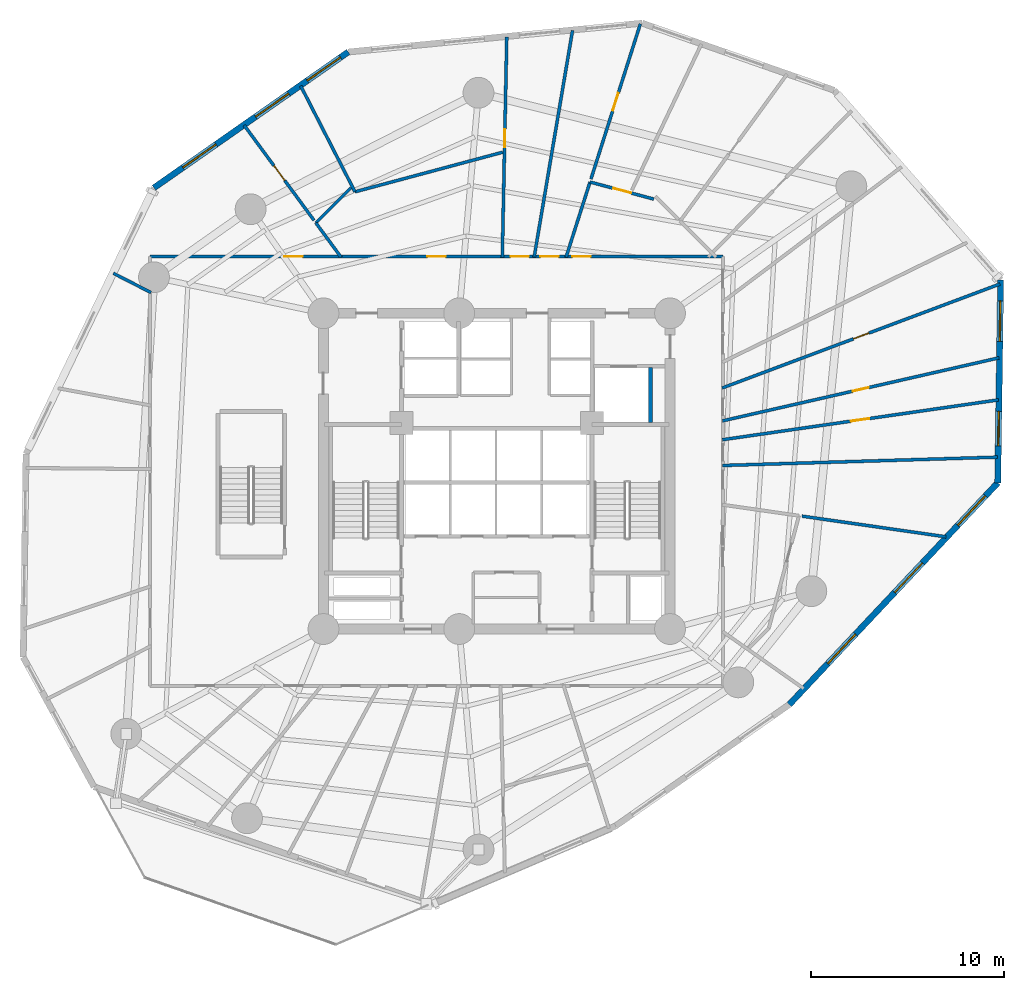
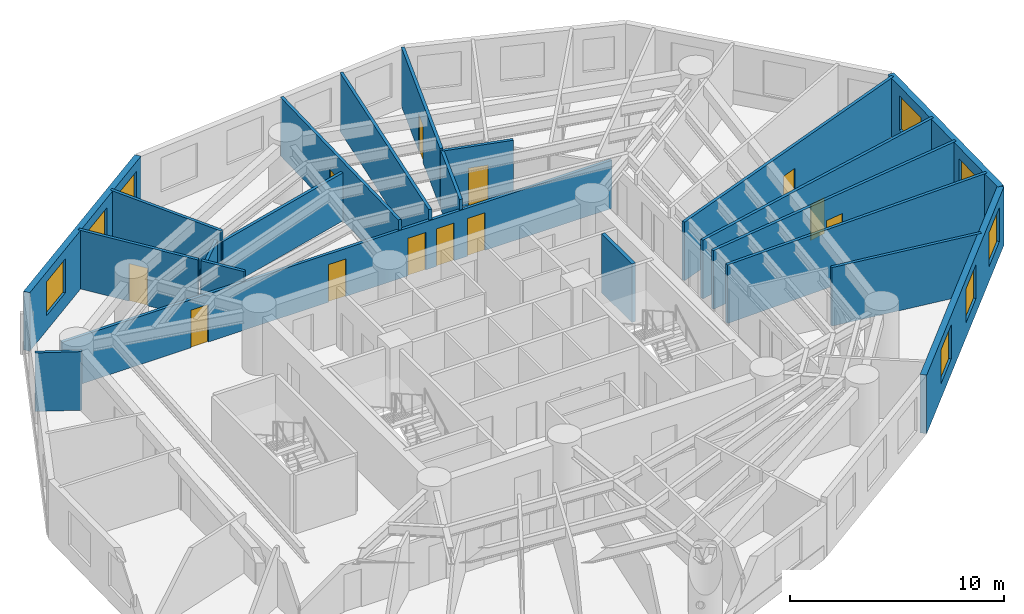
# One storey, part 6 of 11: 21 walls, 12 doors, 8 windows, 20 openings.
"""IFC4 building model written with IfcOpenShell, lengths in metres."""

from ifc_helpers import new_model, si_unit, direction, frame, frame_2d, origin, origin_with_axes, place, context, subcontext, project, spatial, rectangle, extrude, source, transform, mapped, material, layer, layer_set, type_object, element, fill, save


model = new_model("IFC4")

# Units and contexts
model_context = context("Model", 3, precision=1e-05, world=origin(), true_north=direction((0.0, 1.0)))
body_context = subcontext(model_context, "Body", "Model", "MODEL_VIEW")
ifc_project = project(units=[si_unit("LENGTHUNIT", "METRE"), si_unit("AREAUNIT", "SQUARE_METRE"), si_unit("VOLUMEUNIT", "CUBIC_METRE"), si_unit("PLANEANGLEUNIT", "RADIAN"), si_unit("MASSUNIT", "GRAM", prefix="KILO")], contexts=[model_context])

# Site, building, storey
site_placement = place(None, origin())
site = spatial("IfcSite", under=ifc_project, at=site_placement, CompositionType="ELEMENT")
building_placement = place(site_placement, origin())
building = spatial("IfcBuilding", under=site, at=building_placement, Name="Karkom Vertical University and Central Library", CompositionType="ELEMENT")
storey_placement = place(building_placement, frame((0.0, 0.0, 44.5)))
storey = spatial("IfcBuildingStorey", under=building, at=storey_placement, Name="L11", CompositionType="ELEMENT", Elevation=44.5)

# Wall, openings, windows
ifc_material_1 = material(Name="Brick-faced precast concrete C45/55", Category="masonry")
ifc_layer_1 = layer(ifc_material_1, 0.320068359375)
ifc_layer_set_1 = layer_set([ifc_layer_1], Name="Brick-faced precast concrete C45/55")
wall_type_1 = type_object("IfcWallType", Name="ENV-WL-BRK-320", PredefinedType="SOLIDWALL", material=ifc_layer_set_1)
wall_1_placement = place(storey_placement, frame((43.68994140625, 14.37158203125, 0.0), z_axis=(0.0, 0.0, 1.0), x_axis=(0.684991460833, 0.728551095384, 0.0)))
wall_1 = element("IfcWall", 1, at=wall_1_placement, inside=storey, type_object=wall_type_1, Name="Level 11 Brick-Faced Precast Facade Wall 07", PredefinedType="SOLIDWALL", context=body_context, shape_type="SweptSolid", body=[
    extrude(rectangle(XDim=15.816650390625, YDim=0.320068359375, at=frame_2d((7.908203125, 0.0))), origin(), (0.0, 0.0, 1.0), 3.35009765625),
])
opening_1_placement = place(wall_1_placement, frame((2.927978515625, 0.0, 0.85009765625)))
opening_1 = element("IfcOpeningElement", 2, at=opening_1_placement, cuts=wall_1, Name="Opening WN-03", PredefinedType="OPENING", context=body_context, shape_type="SweptSolid", body=[
    extrude(rectangle(XDim=2.10009765625, YDim=1.949951171875, at=frame_2d((1.050048828125, 0.97509765625))), frame((0.0, 0.169921875, 0.0), z_axis=(0.0, -1.0, 0.0), x_axis=(1.0, 0.0, 0.0)), (0.0, 0.0, 1.0), 0.340087890625),
])
opening_2_placement = place(wall_1_placement, frame((8.004150390625, 0.0, 0.85009765625)))
opening_2 = element("IfcOpeningElement", 3, at=opening_2_placement, cuts=wall_1, Name="Opening WN-03", PredefinedType="OPENING", context=body_context, shape_type="SweptSolid", body=[
    extrude(rectangle(XDim=2.10009765625, YDim=1.949951171875, at=frame_2d((1.050048828125, 0.97509765625))), frame((0.0, 0.169921875, 0.0), z_axis=(0.0, -1.0, 0.0), x_axis=(1.0, 0.0, 0.0)), (0.0, 0.0, 1.0), 0.340087890625),
])
opening_3_placement = place(wall_1_placement, frame((12.784423828125, 0.0, 0.85009765625)))
opening_3 = element("IfcOpeningElement", 4, at=opening_3_placement, cuts=wall_1, Name="Opening WN-03", PredefinedType="OPENING", context=body_context, shape_type="SweptSolid", body=[
    extrude(rectangle(XDim=2.10009765625, YDim=1.949951171875, at=frame_2d((1.050048828125, 0.97509765625))), frame((0.0, 0.169921875, 0.0), z_axis=(0.0, -1.0, 0.0), x_axis=(1.0, 0.0, 0.0)), (0.0, 0.0, 1.0), 0.340087890625),
])
ifc_material_2 = material(Name="Aluminium thermal-break frame with solar-control IGU", Category="aluminium")
window_type_1 = type_object("IfcWindowType", Name="ENV-WIN-WN-03", PartitioningType="SINGLE_PANEL", PredefinedType="WINDOW", material=ifc_material_2)
shared_shape_1 = source(origin_with_axes(), body_context, "Body", "SweptSolid", [
    extrude(rectangle(XDim=2.10009765625, YDim=1.949951171875, at=frame_2d((1.050048828125, 0.97509765625))), frame((0.0, 0.030029296875, 0.0), z_axis=(0.0, -1.0, 0.0), x_axis=(1.0, 0.0, 0.0)), (0.0, 0.0, 1.0), 0.06005859375),
])
window_1_placement = place(opening_1_placement, origin())
window_1 = element("IfcWindow", 5, at=window_1_placement, inside=storey, type_object=window_type_1, Name="Level 11 Punched Window 7.1", OverallHeight=1.949951171875, OverallWidth=2.10009765625, PartitioningType="SINGLE_PANEL", PredefinedType="WINDOW", context=body_context, shape_type="MappedRepresentation", body=[
    mapped(shared_shape_1, transform((0.0, 0.0, 0.0), scale=1.0)),
])
fill(opening_1, window_1)
window_2_placement = place(opening_2_placement, origin())
window_2 = element("IfcWindow", 6, at=window_2_placement, inside=storey, type_object=window_type_1, Name="Level 11 Punched Window 7.2", OverallHeight=1.949951171875, OverallWidth=2.10009765625, PartitioningType="SINGLE_PANEL", PredefinedType="WINDOW", context=body_context, shape_type="MappedRepresentation", body=[
    mapped(shared_shape_1, transform((0.0, 0.0, 0.0), scale=1.0)),
])
fill(opening_2, window_2)
window_3_placement = place(opening_3_placement, origin())
window_3 = element("IfcWindow", 7, at=window_3_placement, inside=storey, type_object=window_type_1, Name="Level 11 Punched Window 7.3", OverallHeight=1.949951171875, OverallWidth=2.10009765625, PartitioningType="SINGLE_PANEL", PredefinedType="WINDOW", context=body_context, shape_type="MappedRepresentation", body=[
    mapped(shared_shape_1, transform((0.0, 0.0, 0.0), scale=1.0)),
])
fill(opening_3, window_3)

wall_2_placement = place(storey_placement, frame((54.524169921875, 25.894775390625, 0.0), z_axis=(0.0, 0.0, 1.0), x_axis=(0.014133027678, 0.999900123777, 0.0)))
wall_2 = element("IfcWall", 8, at=wall_2_placement, inside=storey, type_object=wall_type_1, Name="Level 11 Brick-Faced Precast Facade Wall 08", PredefinedType="SOLIDWALL", context=body_context, shape_type="SweptSolid", body=[
    extrude(rectangle(XDim=10.537353515625, YDim=0.320068359375, at=frame_2d((5.2685546875, 0.0))), origin(), (0.0, 0.0, 1.0), 3.35009765625),
])
opening_4_placement = place(wall_2_placement, frame((1.916748046875, 0.0, 0.85009765625)))
opening_4 = element("IfcOpeningElement", 9, at=opening_4_placement, cuts=wall_2, Name="Opening WN-04", PredefinedType="OPENING", context=body_context, shape_type="SweptSolid", body=[
    extrude(rectangle(XDim=1.800048828125, YDim=1.85009765625, at=frame_2d((0.89990234375, 0.925048828125))), frame((0.0, 0.169921875, 0.0), z_axis=(0.0, -1.0, 0.0), x_axis=(1.0, 0.0, 0.0)), (0.0, 0.0, 1.0), 0.340087890625),
])
opening_5_placement = place(wall_2_placement, frame((7.3505859375, 0.0, 0.85009765625)))
opening_5 = element("IfcOpeningElement", 10, at=opening_5_placement, cuts=wall_2, Name="Opening WN-03", PredefinedType="OPENING", context=body_context, shape_type="SweptSolid", body=[
    extrude(rectangle(XDim=2.10009765625, YDim=1.949951171875, at=frame_2d((1.050048828125, 0.97509765625))), frame((0.0, 0.169921875, 0.0), z_axis=(0.0, -1.0, 0.0), x_axis=(1.0, 0.0, 0.0)), (0.0, 0.0, 1.0), 0.340087890625),
])
window_4_placement = place(opening_5_placement, origin())
window_4 = element("IfcWindow", 11, at=window_4_placement, inside=storey, type_object=window_type_1, Name="Level 11 Punched Window 8.2", OverallHeight=1.949951171875, OverallWidth=2.10009765625, PartitioningType="SINGLE_PANEL", PredefinedType="WINDOW", context=body_context, shape_type="MappedRepresentation", body=[
    mapped(shared_shape_1, transform((0.0, 0.0, 0.0), scale=1.0)),
])
fill(opening_5, window_4)
window_type_2 = type_object("IfcWindowType", Name="ENV-WIN-WN-04", PartitioningType="SINGLE_PANEL", PredefinedType="WINDOW", material=ifc_material_2)
shared_shape_2 = source(origin_with_axes(), body_context, "Body", "SweptSolid", [
    extrude(rectangle(XDim=1.800048828125, YDim=1.85009765625, at=frame_2d((0.89990234375, 0.925048828125))), frame((0.0, 0.030029296875, 0.0), z_axis=(0.0, -1.0, 0.0), x_axis=(1.0, 0.0, 0.0)), (0.0, 0.0, 1.0), 0.06005859375),
])
window_5_placement = place(opening_4_placement, origin())
window_5 = element("IfcWindow", 12, at=window_5_placement, inside=storey, type_object=window_type_2, Name="Level 11 Punched Window 8.1", OverallHeight=1.85009765625, OverallWidth=1.800048828125, PartitioningType="SINGLE_PANEL", PredefinedType="WINDOW", context=body_context, shape_type="MappedRepresentation", body=[
    mapped(shared_shape_2, transform((0.0, 0.0, 0.0), scale=1.0)),
])
fill(opening_4, window_5)

wall_3_placement = place(storey_placement, frame((20.789306640625, 48.277587890625, 0.0), z_axis=(0.0, 0.0, 1.0), x_axis=(-0.819542780698, -0.573018001991, 0.0)))
wall_3 = element("IfcWall", 13, at=wall_3_placement, inside=storey, type_object=wall_type_1, Name="Level 11 Brick-Faced Precast Facade Wall 12", PredefinedType="SOLIDWALL", context=body_context, shape_type="SweptSolid", body=[
    extrude(rectangle(XDim=12.318603515625, YDim=0.320068359375, at=frame_2d((6.1591796875, 0.0))), origin(), (0.0, 0.0, 1.0), 3.35009765625),
])
opening_6_placement = place(wall_3_placement, frame((0.5009765625, 0.0, 0.85009765625)))
opening_6 = element("IfcOpeningElement", 14, at=opening_6_placement, cuts=wall_3, Name="Opening WN-03", PredefinedType="OPENING", context=body_context, shape_type="SweptSolid", body=[
    extrude(rectangle(XDim=2.10009765625, YDim=1.949951171875, at=frame_2d((1.050048828125, 0.97509765625))), frame((0.0, 0.169921875, 0.0), z_axis=(0.0, -1.0, 0.0), x_axis=(1.0, 0.0, 0.0)), (0.0, 0.0, 1.0), 0.340087890625),
])
opening_7_placement = place(wall_3_placement, frame((3.7783203125, 0.0, 0.85009765625)))
opening_7 = element("IfcOpeningElement", 15, at=opening_7_placement, cuts=wall_3, Name="Opening WN-03", PredefinedType="OPENING", context=body_context, shape_type="SweptSolid", body=[
    extrude(rectangle(XDim=2.10009765625, YDim=1.949951171875, at=frame_2d((1.050048828125, 0.97509765625))), frame((0.0, 0.169921875, 0.0), z_axis=(0.0, -1.0, 0.0), x_axis=(1.0, 0.0, 0.0)), (0.0, 0.0, 1.0), 0.340087890625),
])
opening_8_placement = place(wall_3_placement, frame((8.38671875, 0.0, 0.85009765625)))
opening_8 = element("IfcOpeningElement", 16, at=opening_8_placement, cuts=wall_3, Name="Opening WN-03", PredefinedType="OPENING", context=body_context, shape_type="SweptSolid", body=[
    extrude(rectangle(XDim=2.10009765625, YDim=1.949951171875, at=frame_2d((1.050048828125, 0.97509765625))), frame((0.0, 0.169921875, 0.0), z_axis=(0.0, -1.0, 0.0), x_axis=(1.0, 0.0, 0.0)), (0.0, 0.0, 1.0), 0.340087890625),
])
window_6_placement = place(opening_6_placement, origin())
window_6 = element("IfcWindow", 17, at=window_6_placement, inside=storey, type_object=window_type_1, Name="Level 11 Punched Window 12.1", OverallHeight=1.949951171875, OverallWidth=2.10009765625, PartitioningType="SINGLE_PANEL", PredefinedType="WINDOW", context=body_context, shape_type="MappedRepresentation", body=[
    mapped(shared_shape_1, transform((0.0, 0.0, 0.0), scale=1.0)),
])
fill(opening_6, window_6)
window_7_placement = place(opening_7_placement, origin())
window_7 = element("IfcWindow", 18, at=window_7_placement, inside=storey, type_object=window_type_1, Name="Level 11 Punched Window 12.2", OverallHeight=1.949951171875, OverallWidth=2.10009765625, PartitioningType="SINGLE_PANEL", PredefinedType="WINDOW", context=body_context, shape_type="MappedRepresentation", body=[
    mapped(shared_shape_1, transform((0.0, 0.0, 0.0), scale=1.0)),
])
fill(opening_7, window_7)
window_8_placement = place(opening_8_placement, origin())
window_8 = element("IfcWindow", 19, at=window_8_placement, inside=storey, type_object=window_type_1, Name="Level 11 Punched Window 12.3", OverallHeight=1.949951171875, OverallWidth=2.10009765625, PartitioningType="SINGLE_PANEL", PredefinedType="WINDOW", context=body_context, shape_type="MappedRepresentation", body=[
    mapped(shared_shape_1, transform((0.0, 0.0, 0.0), scale=1.0)),
])
fill(opening_8, window_8)

# Wall, openings, doors
ifc_material_3 = material(Name="Insulated metal-stud drywall 160mm", Category="gypsum")
ifc_layer_2 = layer(ifc_material_3, 0.159912109375)
ifc_layer_set_2 = layer_set([ifc_layer_2], Name="Insulated metal-stud drywall 160mm")
wall_type_2 = type_object("IfcWallType", Name="INT-WL-COR-160", PredefinedType="PARTITIONING", material=ifc_layer_set_2)
wall_4_placement = place(storey_placement, frame((10.5, 37.64990234375, 0.0), z_axis=(0.0, 0.0, 1.0), x_axis=(1.0, 0.0, 0.0)))
wall_4 = element("IfcWall", 20, at=wall_4_placement, inside=storey, type_object=wall_type_2, Name="Level 11 Interior Partition Wall L11-CORW-CW-003", PredefinedType="PARTITIONING", context=body_context, shape_type="SweptSolid", body=[
    extrude(rectangle(XDim=29.75, YDim=0.159912109375, at=frame_2d((14.875, 0.0))), origin(), (0.0, 0.0, 1.0), 2.75),
])
opening_9_placement = place(wall_4_placement, frame((21.927490234375, 0.0, 0.0)))
opening_9 = element("IfcOpeningElement", 21, at=opening_9_placement, cuts=wall_4, Name="Opening D-RM1", PredefinedType="OPENING", context=body_context, shape_type="SweptSolid", body=[
    extrude(rectangle(XDim=0.949951171875, YDim=2.14990234375, at=frame_2d((0.47509765625, 1.074951171875))), frame((0.0, 0.08984375, 0.0), z_axis=(0.0, -1.0, 0.0), x_axis=(1.0, 0.0, 0.0)), (0.0, 0.0, 1.0), 0.179931640625),
])
opening_10_placement = place(wall_4_placement, frame((20.26220703125, 0.0, 0.0)))
opening_10 = element("IfcOpeningElement", 22, at=opening_10_placement, cuts=wall_4, Name="Opening D-RM1", PredefinedType="OPENING", context=body_context, shape_type="SweptSolid", body=[
    extrude(rectangle(XDim=0.949951171875, YDim=2.14990234375, at=frame_2d((0.47509765625, 1.074951171875))), frame((0.0, 0.08984375, 0.0), z_axis=(0.0, -1.0, 0.0), x_axis=(1.0, 0.0, 0.0)), (0.0, 0.0, 1.0), 0.179931640625),
])
opening_11_placement = place(wall_4_placement, frame((18.722412109375, 0.0, 0.0)))
opening_11 = element("IfcOpeningElement", 23, at=opening_11_placement, cuts=wall_4, Name="Opening D-RM1", PredefinedType="OPENING", context=body_context, shape_type="SweptSolid", body=[
    extrude(rectangle(XDim=0.949951171875, YDim=2.14990234375, at=frame_2d((0.47509765625, 1.074951171875))), frame((0.0, 0.08984375, 0.0), z_axis=(0.0, -1.0, 0.0), x_axis=(1.0, 0.0, 0.0)), (0.0, 0.0, 1.0), 0.179931640625),
])
opening_12_placement = place(wall_4_placement, frame((14.39990234375, 0.0, 0.0)))
opening_12 = element("IfcOpeningElement", 24, at=opening_12_placement, cuts=wall_4, Name="Opening D-RM1", PredefinedType="OPENING", context=body_context, shape_type="SweptSolid", body=[
    extrude(rectangle(XDim=0.949951171875, YDim=2.14990234375, at=frame_2d((0.47509765625, 1.074951171875))), frame((0.0, 0.08984375, 0.0), z_axis=(0.0, -1.0, 0.0), x_axis=(1.0, 0.0, 0.0)), (0.0, 0.0, 1.0), 0.179931640625),
])
opening_13_placement = place(wall_4_placement, frame((6.96240234375, 0.0, 0.0)))
opening_13 = element("IfcOpeningElement", 25, at=opening_13_placement, cuts=wall_4, Name="Opening D-RM1", PredefinedType="OPENING", context=body_context, shape_type="SweptSolid", body=[
    extrude(rectangle(XDim=0.949951171875, YDim=2.14990234375, at=frame_2d((0.47509765625, 1.074951171875))), frame((0.0, 0.08984375, 0.0), z_axis=(0.0, -1.0, 0.0), x_axis=(1.0, 0.0, 0.0)), (0.0, 0.0, 1.0), 0.179931640625),
])
ifc_material_4 = material(Name="Solid-core oak veneer door", Category="wood")
door_type_1 = type_object("IfcDoorType", Name="INT-DR-RM1", OperationType="NOTDEFINED", PredefinedType="DOOR", material=ifc_material_4)
shared_shape_3 = source(origin_with_axes(), body_context, "Body", "SweptSolid", [
    extrude(rectangle(XDim=0.949951171875, YDim=2.14990234375, at=frame_2d((0.47509765625, 1.074951171875))), frame((0.0, 0.02490234375, 0.0), z_axis=(0.0, -1.0, 0.0), x_axis=(1.0, 0.0, 0.0)), (0.0, 0.0, 1.0), 0.050048828125),
])
door_1_placement = place(opening_9_placement, origin())
door_1 = element("IfcDoor", 26, at=door_1_placement, inside=storey, type_object=door_type_1, Name="Level 11 Room Entry Door 220", OperationType="SINGLE_SWING_RIGHT", OverallHeight=2.14990234375, OverallWidth=0.949951171875, PredefinedType="DOOR", context=body_context, shape_type="MappedRepresentation", body=[
    mapped(shared_shape_3, transform((0.0, 0.0, 0.0), scale=1.0)),
])
fill(opening_9, door_1)
door_2_placement = place(opening_10_placement, origin())
door_2 = element("IfcDoor", 27, at=door_2_placement, inside=storey, type_object=door_type_1, Name="Level 11 Room Entry Door 240", OperationType="SINGLE_SWING_LEFT", OverallHeight=2.14990234375, OverallWidth=0.949951171875, PredefinedType="DOOR", context=body_context, shape_type="MappedRepresentation", body=[
    mapped(shared_shape_3, transform((0.0, 0.0, 0.0), scale=1.0)),
])
fill(opening_10, door_2)
door_3_placement = place(opening_11_placement, origin())
door_3 = element("IfcDoor", 28, at=door_3_placement, inside=storey, type_object=door_type_1, Name="Level 11 Room Entry Door 250", OperationType="SINGLE_SWING_RIGHT", OverallHeight=2.14990234375, OverallWidth=0.949951171875, PredefinedType="DOOR", context=body_context, shape_type="MappedRepresentation", body=[
    mapped(shared_shape_3, transform((0.0, 0.0, 0.0), scale=1.0)),
])
fill(opening_11, door_3)
door_4_placement = place(opening_12_placement, origin())
door_4 = element("IfcDoor", 29, at=door_4_placement, inside=storey, type_object=door_type_1, Name="Level 11 Room Entry Door 270", OperationType="SINGLE_SWING_LEFT", OverallHeight=2.14990234375, OverallWidth=0.949951171875, PredefinedType="DOOR", context=body_context, shape_type="MappedRepresentation", body=[
    mapped(shared_shape_3, transform((0.0, 0.0, 0.0), scale=1.0)),
])
fill(opening_12, door_4)
door_5_placement = place(opening_13_placement, origin())
door_5 = element("IfcDoor", 30, at=door_5_placement, inside=storey, type_object=door_type_1, Name="Level 11 Room Entry Door 290", OperationType="SINGLE_SWING_RIGHT", OverallHeight=2.14990234375, OverallWidth=0.949951171875, PredefinedType="DOOR", context=body_context, shape_type="MappedRepresentation", body=[
    mapped(shared_shape_3, transform((0.0, 0.0, 0.0), scale=1.0)),
])
fill(opening_13, door_5)

# Wall, opening, door
wall_5_placement = place(storey_placement, frame((40.2080078125, 30.819580078125, 0.0), z_axis=(0.0, 0.0, 1.0), x_axis=(0.936503538723, 0.350658126897, 0.0)))
wall_5 = element("IfcWall", 31, at=wall_5_placement, inside=storey, type_object=wall_type_2, Name="Level 11 Interior Partition Wall L11-PW-021", PredefinedType="PARTITIONING", context=body_context, shape_type="SweptSolid", body=[
    extrude(rectangle(XDim=15.4111328125, YDim=0.159912109375, at=frame_2d((7.70556640625, 0.0))), origin(), (0.0, 0.0, 1.0), 3.35009765625),
])
opening_14_placement = place(wall_5_placement, frame((7.275634765625, 0.0, 0.0)))
opening_14 = element("IfcOpeningElement", 32, at=opening_14_placement, cuts=wall_5, Name="Opening FD-BTH2", PredefinedType="OPENING", context=body_context, shape_type="SweptSolid", body=[
    extrude(rectangle(XDim=0.860107421875, YDim=2.0400390625, at=frame_2d((0.43017578125, 1.02001953125))), frame((0.0, 0.08984375, 0.0), z_axis=(0.0, -1.0, 0.0), x_axis=(1.0, 0.0, 0.0)), (0.0, 0.0, 1.0), 0.179931640625),
])
ifc_material_5 = material(Name="Fire-rated moisture-resistant oak door", Category="wood")
door_type_2 = type_object("IfcDoorType", Name="INT-DR-FBTH2", OperationType="NOTDEFINED", PredefinedType="DOOR", material=ifc_material_5)
shared_shape_4 = source(origin_with_axes(), body_context, "Body", "SweptSolid", [
    extrude(rectangle(XDim=0.860107421875, YDim=2.0400390625, at=frame_2d((0.43017578125, 1.02001953125))), frame((0.0, 0.02490234375, 0.0), z_axis=(0.0, -1.0, 0.0), x_axis=(1.0, 0.0, 0.0)), (0.0, 0.0, 1.0), 0.050048828125),
])
door_6_placement = place(opening_14_placement, origin())
door_6 = element("IfcDoor", 33, at=door_6_placement, inside=storey, type_object=door_type_2, Name="Level 11 Departmental Reference Reading Library Entry Door", OperationType="SINGLE_SWING_LEFT", OverallHeight=2.0400390625, OverallWidth=0.860107421875, PredefinedType="DOOR", context=body_context, shape_type="MappedRepresentation", body=[
    mapped(shared_shape_4, transform((0.0, 0.0, 0.0), scale=1.0)),
])
fill(opening_14, door_6)

wall_6_placement = place(storey_placement, frame((40.220703125, 29.111083984375, 0.0), z_axis=(0.0, 0.0, 1.0), x_axis=(0.974973940849, 0.22231917296, 0.0)))
wall_6 = element("IfcWall", 34, at=wall_6_placement, inside=storey, type_object=wall_type_2, Name="Level 11 Interior Partition Wall L11-PW-020", PredefinedType="PARTITIONING", context=body_context, shape_type="SweptSolid", body=[
    extrude(rectangle(XDim=14.7373046875, YDim=0.159912109375, at=frame_2d((7.36865234375, 0.0))), origin(), (0.0, 0.0, 1.0), 3.35009765625),
])
opening_15_placement = place(wall_6_placement, frame((6.9384765625, 0.0, 0.0)))
opening_15 = element("IfcOpeningElement", 35, at=opening_15_placement, cuts=wall_6, Name="Opening FD-BTH2", PredefinedType="OPENING", context=body_context, shape_type="SweptSolid", body=[
    extrude(rectangle(XDim=0.860107421875, YDim=2.0400390625, at=frame_2d((0.43017578125, 1.02001953125))), frame((0.0, 0.08984375, 0.0), z_axis=(0.0, -1.0, 0.0), x_axis=(1.0, 0.0, 0.0)), (0.0, 0.0, 1.0), 0.179931640625),
])
door_7_placement = place(opening_15_placement, origin())
door_7 = element("IfcDoor", 36, at=door_7_placement, inside=storey, type_object=door_type_2, Name="Level 11 Faculty Consultation and Research Office Entry Door", OperationType="SINGLE_SWING_RIGHT", OverallHeight=2.0400390625, OverallWidth=0.860107421875, PredefinedType="DOOR", context=body_context, shape_type="MappedRepresentation", body=[
    mapped(shared_shape_4, transform((0.0, 0.0, 0.0), scale=1.0)),
])
fill(opening_15, door_7)

wall_7_placement = place(storey_placement, frame((40.22021484375, 28.1318359375, 0.0), z_axis=(0.0, 0.0, 1.0), x_axis=(0.989731959594, 0.142935818315, 0.0)))
wall_7 = element("IfcWall", 37, at=wall_7_placement, inside=storey, type_object=wall_type_2, Name="Level 11 Interior Partition Wall L11-PW-019", PredefinedType="PARTITIONING", context=body_context, shape_type="SweptSolid", body=[
    extrude(rectangle(XDim=14.487548828125, YDim=0.159912109375, at=frame_2d((7.24365234375, 0.0))), origin(), (0.0, 0.0, 1.0), 3.35009765625),
])
opening_16_placement = place(wall_7_placement, frame((6.751220703125, 0.0, 0.0)))
opening_16 = element("IfcOpeningElement", 38, at=opening_16_placement, cuts=wall_7, Name="Opening D-RM1", PredefinedType="OPENING", context=body_context, shape_type="SweptSolid", body=[
    extrude(rectangle(XDim=0.949951171875, YDim=2.14990234375, at=frame_2d((0.47509765625, 1.074951171875))), frame((0.0, 0.08984375, 0.0), z_axis=(0.0, -1.0, 0.0), x_axis=(1.0, 0.0, 0.0)), (0.0, 0.0, 1.0), 0.179931640625),
])
door_8_placement = place(opening_16_placement, origin())
door_8 = element("IfcDoor", 39, at=door_8_placement, inside=storey, type_object=door_type_1, Name="Level 11 Room Entry Door 150", OperationType="SINGLE_SWING_LEFT", OverallHeight=2.14990234375, OverallWidth=0.949951171875, PredefinedType="DOOR", context=body_context, shape_type="MappedRepresentation", body=[
    mapped(shared_shape_3, transform((0.0, 0.0, 0.0), scale=1.0)),
])
fill(opening_16, door_8)

# Walls
wall_8_placement = place(storey_placement, frame((40.219970703125, 26.794677734375, 0.0), z_axis=(0.0, 0.0, 1.0), x_axis=(0.999542039946, 0.030260706865, 0.0)))
element("IfcWall", 40, at=wall_8_placement, inside=storey, type_object=wall_type_2, Name="Level 11 Interior Partition Wall L11-PW-018", PredefinedType="PARTITIONING", context=body_context, shape_type="SweptSolid", body=[
    extrude(rectangle(XDim=14.304443359375, YDim=0.159912109375, at=frame_2d((7.15234375, 0.0))), origin(), (0.0, 0.0, 1.0), 3.35009765625),
])
wall_9_placement = place(storey_placement, frame((30.443603515625, 37.620361328125, 0.0), z_axis=(0.0, 0.0, 1.0), x_axis=(0.166928333603, 0.985969031684, 0.0)))
element("IfcWall", 41, at=wall_9_placement, inside=storey, type_object=wall_type_2, Name="Level 11 Interior Partition Wall L11-PW-034", PredefinedType="PARTITIONING", context=body_context, shape_type="SweptSolid", body=[
    extrude(rectangle(XDim=11.940185546875, YDim=0.159912109375, at=frame_2d((5.97021484375, 0.0))), origin(), (0.0, 0.0, 1.0), 3.35009765625),
])

# Wall, opening, door
wall_10_placement = place(storey_placement, frame((28.787109375, 37.60498046875, 0.0), z_axis=(0.0, 0.0, 1.0), x_axis=(0.020435212619, 0.99979117924, 0.0)))
wall_10 = element("IfcWall", 42, at=wall_10_placement, inside=storey, type_object=wall_type_2, Name="Level 11 Interior Partition Wall L11-PW-035", PredefinedType="PARTITIONING", context=body_context, shape_type="SweptSolid", body=[
    extrude(rectangle(XDim=11.457275390625, YDim=0.159912109375, at=frame_2d((5.728515625, 0.0))), origin(), (0.0, 0.0, 1.0), 3.35009765625),
])
opening_17_placement = place(wall_10_placement, frame((5.718505859375, 0.0, 0.0)))
opening_17 = element("IfcOpeningElement", 43, at=opening_17_placement, cuts=wall_10, Name="Opening D-RM1", PredefinedType="OPENING", context=body_context, shape_type="SweptSolid", body=[
    extrude(rectangle(XDim=0.949951171875, YDim=2.14990234375, at=frame_2d((0.47509765625, 1.074951171875))), frame((0.0, 0.08984375, 0.0), z_axis=(0.0, -1.0, 0.0), x_axis=(1.0, 0.0, 0.0)), (0.0, 0.0, 1.0), 0.179931640625),
])
door_9_placement = place(opening_17_placement, origin())
door_9 = element("IfcDoor", 44, at=door_9_placement, inside=storey, type_object=door_type_1, Name="Level 11 Room Entry Door 260", OperationType="SINGLE_SWING_LEFT", OverallHeight=2.14990234375, OverallWidth=0.949951171875, PredefinedType="DOOR", context=body_context, shape_type="MappedRepresentation", body=[
    mapped(shared_shape_3, transform((0.0, 0.0, 0.0), scale=1.0)),
])
fill(opening_17, door_9)

wall_11_placement = place(storey_placement, frame((33.392822265625, 41.671875, 0.0), z_axis=(0.0, 0.0, 1.0), x_axis=(0.303320350776, 0.952888642395, 0.0)))
wall_11 = element("IfcWall", 45, at=wall_11_placement, inside=storey, type_object=wall_type_2, Name="Level 11 Interior Partition Wall L11-PW-033", PredefinedType="PARTITIONING", context=body_context, shape_type="SweptSolid", body=[
    extrude(rectangle(XDim=8.462646484375, YDim=0.159912109375, at=frame_2d((4.2314453125, 0.0))), origin(), (0.0, 0.0, 1.0), 3.35009765625),
])
opening_18_placement = place(wall_11_placement, frame((3.739013671875, 0.0, 0.0)))
opening_18 = element("IfcOpeningElement", 46, at=opening_18_placement, cuts=wall_11, Name="Opening D-RM1", PredefinedType="OPENING", context=body_context, shape_type="SweptSolid", body=[
    extrude(rectangle(XDim=0.949951171875, YDim=2.14990234375, at=frame_2d((0.47509765625, 1.074951171875))), frame((0.0, 0.08984375, 0.0), z_axis=(0.0, -1.0, 0.0), x_axis=(1.0, 0.0, 0.0)), (0.0, 0.0, 1.0), 0.179931640625),
])
door_10_placement = place(opening_18_placement, origin())
door_10 = element("IfcDoor", 47, at=door_10_placement, inside=storey, type_object=door_type_1, Name="Level 11 Room Entry Door 230", OperationType="SINGLE_SWING_RIGHT", OverallHeight=2.14990234375, OverallWidth=0.949951171875, PredefinedType="DOOR", context=body_context, shape_type="MappedRepresentation", body=[
    mapped(shared_shape_3, transform((0.0, 0.0, 0.0), scale=1.0)),
])
fill(opening_18, door_10)

# Walls
wall_12_placement = place(storey_placement, frame((28.811767578125, 43.06640625, 0.0), z_axis=(0.0, 0.0, 1.0), x_axis=(-0.965922681533, -0.258830781207, 0.0)))
element("IfcWall", 48, at=wall_12_placement, inside=storey, type_object=wall_type_2, Name="Level 11 Interior Partition Wall L11-PW-036", PredefinedType="PARTITIONING", context=body_context, shape_type="SweptSolid", body=[
    extrude(rectangle(XDim=7.94677734375, YDim=0.159912109375, at=frame_2d((3.973388671875, 0.0))), origin(), (0.0, 0.0, 1.0), 2.75),
])
wall_13_placement = place(storey_placement, frame((44.356689453125, 24.16357421875, 0.0), z_axis=(0.0, 0.0, 1.0), x_axis=(0.989858179143, -0.142059090466, 0.0)))
element("IfcWall", 49, at=wall_13_placement, inside=storey, type_object=wall_type_2, Name="Level 11 Interior Partition Wall L11-PW-017", PredefinedType="PARTITIONING", context=body_context, shape_type="SweptSolid", body=[
    extrude(rectangle(XDim=7.556640625, YDim=0.159912109375, at=frame_2d((3.7783203125, 0.0))), origin(), (0.0, 0.0, 1.0), 3.35009765625),
])
wall_14_placement = place(storey_placement, frame((21.1357421875, 41.009521484375, 0.0), z_axis=(0.0, 0.0, 1.0), x_axis=(-0.455904840593, 0.890028525568, 0.0)))
element("IfcWall", 50, at=wall_14_placement, inside=storey, type_object=wall_type_2, Name="Level 11 Interior Partition Wall L11-PW-037", PredefinedType="PARTITIONING", context=body_context, shape_type="SweptSolid", body=[
    extrude(rectangle(XDim=6.187255859375, YDim=0.159912109375, at=frame_2d((3.09375, 0.0))), origin(), (0.0, 0.0, 1.0), 3.35009765625),
])

# Wall, opening, door
wall_15_placement = place(storey_placement, frame((19.009765625, 39.525634765625, 0.0), z_axis=(0.0, 0.0, 1.0), x_axis=(-0.591869476639, 0.806033822257, 0.0)))
wall_15 = element("IfcWall", 51, at=wall_15_placement, inside=storey, type_object=wall_type_2, Name="Level 11 Interior Partition Wall L11-PW-040", PredefinedType="PARTITIONING", context=body_context, shape_type="SweptSolid", body=[
    extrude(rectangle(XDim=6.129638671875, YDim=0.159912109375, at=frame_2d((3.06494140625, 0.0))), origin(), (0.0, 0.0, 1.0), 3.35009765625),
])
opening_19_placement = place(wall_15_placement, frame((2.572265625, 0.0, 0.0)))
opening_19 = element("IfcOpeningElement", 52, at=opening_19_placement, cuts=wall_15, Name="Opening D-RM1", PredefinedType="OPENING", context=body_context, shape_type="SweptSolid", body=[
    extrude(rectangle(XDim=0.949951171875, YDim=2.14990234375, at=frame_2d((0.47509765625, 1.074951171875))), frame((0.0, 0.08984375, 0.0), z_axis=(0.0, -1.0, 0.0), x_axis=(1.0, 0.0, 0.0)), (0.0, 0.0, 1.0), 0.179931640625),
])
door_11_placement = place(opening_19_placement, origin())
door_11 = element("IfcDoor", 53, at=door_11_placement, inside=storey, type_object=door_type_1, Name="Level 11 Room Entry Door 280", OperationType="SINGLE_SWING_RIGHT", OverallHeight=2.14990234375, OverallWidth=0.949951171875, PredefinedType="DOOR", context=body_context, shape_type="MappedRepresentation", body=[
    mapped(shared_shape_3, transform((0.0, 0.0, 0.0), scale=1.0)),
])
fill(opening_19, door_11)

# Wall
wall_16_placement = place(storey_placement, frame((32.0986328125, 37.607177734375, 0.0), z_axis=(0.0, 0.0, 1.0), x_axis=(0.303390190683, 0.952866408369, 0.0)))
element("IfcWall", 54, at=wall_16_placement, inside=storey, type_object=wall_type_2, Name="Level 11 Interior Partition Wall L11-PW-032", PredefinedType="PARTITIONING", context=body_context, shape_type="SweptSolid", body=[
    extrude(rectangle(XDim=4.105712890625, YDim=0.159912109375, at=frame_2d((2.052734375, 0.0))), origin(), (0.0, 0.0, 1.0), 3.35009765625),
])

# Wall, opening, door
wall_17_placement = place(storey_placement, frame((33.34423828125, 41.519287109375, 0.0), z_axis=(0.0, 0.0, 1.0), x_axis=(0.965920102757, -0.258840404672, 0.0)))
wall_17 = element("IfcWall", 55, at=wall_17_placement, inside=storey, type_object=wall_type_2, Name="Level 11 Interior Partition Wall L11-PW-031", PredefinedType="PARTITIONING", context=body_context, shape_type="SweptSolid", body=[
    extrude(rectangle(XDim=3.431396484375, YDim=0.159912109375, at=frame_2d((1.7158203125, 0.0))), origin(), (0.0, 0.0, 1.0), 3.35009765625),
])
opening_20_placement = place(wall_17_placement, frame((1.258544921875, 0.0, 0.0)))
opening_20 = element("IfcOpeningElement", 56, at=opening_20_placement, cuts=wall_17, Name="Opening D-RM1", PredefinedType="OPENING", context=body_context, shape_type="SweptSolid", body=[
    extrude(rectangle(XDim=0.949951171875, YDim=2.14990234375, at=frame_2d((0.47509765625, 1.074951171875))), frame((0.0, 0.08984375, 0.0), z_axis=(0.0, -1.0, 0.0), x_axis=(1.0, 0.0, 0.0)), (0.0, 0.0, 1.0), 0.179931640625),
])
door_12_placement = place(opening_20_placement, origin())
door_12 = element("IfcDoor", 57, at=door_12_placement, inside=storey, type_object=door_type_1, Name="Level 11 Room Entry Door 210", OperationType="SINGLE_SWING_LEFT", OverallHeight=2.14990234375, OverallWidth=0.949951171875, PredefinedType="DOOR", context=body_context, shape_type="MappedRepresentation", body=[
    mapped(shared_shape_3, transform((0.0, 0.0, 0.0), scale=1.0)),
])
fill(opening_20, door_12)

# Walls
wall_18_placement = place(storey_placement, frame((20.413818359375, 37.61376953125, 0.0), z_axis=(0.0, 0.0, 1.0), x_axis=(-0.591928563028, 0.805990431874, 0.0)))
element("IfcWall", 58, at=wall_18_placement, inside=storey, type_object=wall_type_2, Name="Level 11 Interior Partition Wall L11-PW-039", PredefinedType="PARTITIONING", context=body_context, shape_type="SweptSolid", body=[
    extrude(rectangle(XDim=2.210205078125, YDim=0.159912109375, at=frame_2d((1.10498046875, 0.0))), origin(), (0.0, 0.0, 1.0), 3.35009765625),
])
wall_19_placement = place(storey_placement, frame((10.5400390625, 35.778076171875, 0.0), z_axis=(0.0, 0.0, 1.0), x_axis=(-0.889845240462, 0.456262477119, 0.0)))
element("IfcWall", 59, at=wall_19_placement, inside=storey, type_object=wall_type_2, Name="Level 11 Interior Partition Wall L11-PW-041", PredefinedType="PARTITIONING", context=body_context, shape_type="SweptSolid", body=[
    extrude(rectangle(XDim=2.196044921875, YDim=0.159912109375, at=frame_2d((1.09814453125, 0.0))), origin(), (0.0, 0.0, 1.0), 3.35009765625),
])
wall_20_placement = place(storey_placement, frame((19.10546875, 39.395263671875, 0.0), z_axis=(0.0, 0.0, 1.0), x_axis=(0.707154080881, 0.707059478328, 0.0)))
element("IfcWall", 60, at=wall_20_placement, inside=storey, type_object=wall_type_2, Name="Level 11 Interior Partition Wall L11-PW-038", PredefinedType="PARTITIONING", context=body_context, shape_type="SweptSolid", body=[
    extrude(rectangle(XDim=2.580810546875, YDim=0.159912109375, at=frame_2d((1.29052734375, 0.0))), origin(), (0.0, 0.0, 1.0), 2.75),
])
ifc_material_6 = material(Name="Concrete C45/55", Category="concrete")
ifc_layer_3 = layer(ifc_material_6, 0.199951171875)
ifc_layer_set_3 = layer_set([ifc_layer_3], Name="Concrete C45/55")
wall_type_3 = type_object("IfcWallType", Name="STR-WL-ST-200", PredefinedType="SHEAR", material=ifc_layer_set_3)
wall_21_placement = place(storey_placement, frame((36.47998046875, 29.02001953125, 0.0), z_axis=(0.0, 0.0, 1.0), x_axis=(0.0, 1.0, 0.0)))
element("IfcWall", 61, at=wall_21_placement, inside=storey, type_object=wall_type_3, Name="Level 11 Core Shaft Wall L11-CW-SVL-E", PredefinedType="SHEAR", context=body_context, shape_type="SweptSolid", body=[
    extrude(rectangle(XDim=2.85986328125, YDim=0.199951171875, at=frame_2d((1.429931640625, 0.0))), origin(), (0.0, 0.0, 1.0), 3.35009765625),
])

save(model, "model.ifc")
